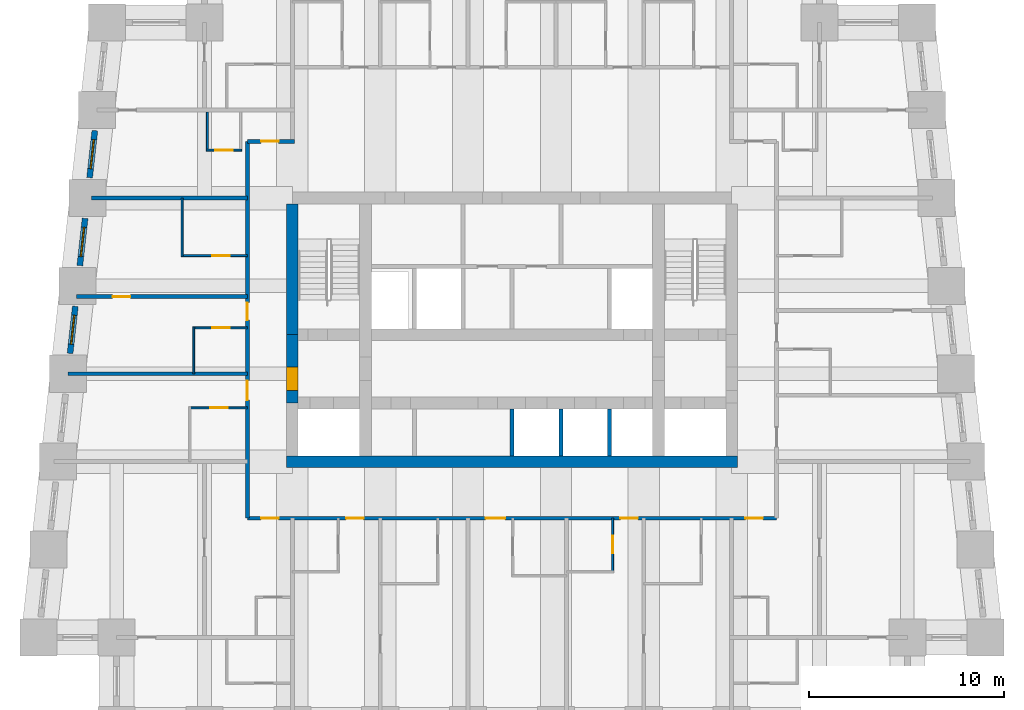
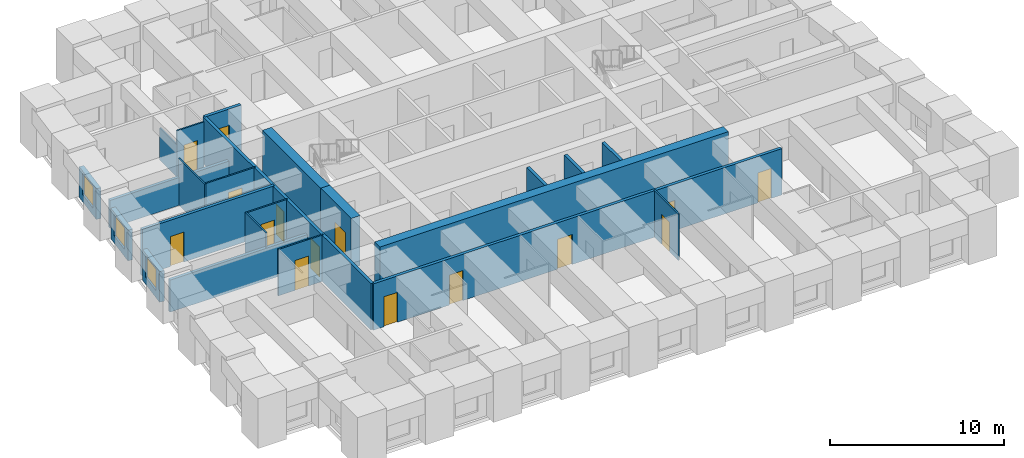
# One storey, part 3 of 8: 23 walls, 15 doors, 3 windows, 18 openings.
"""IFC4 building model written with IfcOpenShell, lengths in metres."""

from ifc_helpers import new_model, si_unit, direction, frame, frame_2d, origin, place, context, subcontext, project, spatial, rectangle, extrude, material, layer, layer_set, type_object, element, fill, save


model = new_model("IFC4")

# Units and contexts
model_context = context("Model", 3, precision=1e-05, world=origin(), true_north=direction((0.0, 1.0)))
body_context = subcontext(model_context, "Body", "Model", "MODEL_VIEW")
ifc_project = project(units=[si_unit("LENGTHUNIT", "METRE"), si_unit("AREAUNIT", "SQUARE_METRE"), si_unit("VOLUMEUNIT", "CUBIC_METRE"), si_unit("PLANEANGLEUNIT", "RADIAN"), si_unit("MASSUNIT", "GRAM", prefix="KILO")], contexts=[model_context])

# Site, building, storey
site_placement = place(None, origin())
site = spatial("IfcSite", under=ifc_project, at=site_placement, CompositionType="ELEMENT")
building_placement = place(site_placement, origin())
building = spatial("IfcBuilding", under=site, at=building_placement, Name="Kilele Tower Hotel", CompositionType="ELEMENT")
storey_placement = place(building_placement, frame((0.0, 0.0, 89.89990234375)))
storey = spatial("IfcBuildingStorey", under=building, at=storey_placement, Name="L22", CompositionType="ELEMENT", Elevation=89.89990234375)

# Wall, opening, door
ifc_material_1 = material(Name="Moisture-resistant board")
ifc_layer_1 = layer(ifc_material_1, 0.10009765625)
ifc_layer_set_1 = layer_set([ifc_layer_1], Name="Moisture-resistant board")
wall_type_1 = type_object("IfcWallType", Name="Bathroom partition 100", PredefinedType="PLUMBINGWALL", material=ifc_layer_set_1)
wall_1_placement = place(storey_placement, frame((29.89990234375, 10.60009765625, 0.0), z_axis=(0.0, 0.0, 1.0), x_axis=(0.0, -1.0, 0.0)))
wall_1 = element("IfcWall", 1, at=wall_1_placement, inside=storey, type_object=wall_type_1, Name="Bathroom partition 100 L22", PredefinedType="PLUMBINGWALL", context=body_context, shape_type="SweptSolid", body=[
    extrude(rectangle(XDim=2.800048828125, YDim=0.10009765625, at=frame_2d((1.39990234375, 0.0))), origin(), (0.0, 0.0, 1.0), 3.25),
])
opening_1_placement = place(wall_1_placement, frame((0.89990234375, 0.0, 0.0)))
opening_1 = element("IfcOpeningElement", 2, at=opening_1_placement, cuts=wall_1, Name="Opening D2A", PredefinedType="OPENING", context=body_context, shape_type="SweptSolid", body=[
    extrude(rectangle(XDim=0.89990234375, YDim=2.10009765625, at=frame_2d((0.449951171875, 1.050048828125))), frame((0.0, 0.06005859375, 0.0), z_axis=(0.0, -1.0, 0.0), x_axis=(1.0, 0.0, 0.0)), (0.0, 0.0, 1.0), 0.1201171875),
])
ifc_material_2 = material(Name="Timber door leaf in hardwood frame", Category="wood")
door_type_1 = type_object("IfcDoorType", Name="Bathroom door 900", OperationType="SINGLE_SWING_LEFT", PredefinedType="DOOR", material=ifc_material_2)
door_1_placement = place(opening_1_placement, origin())
door_1 = element("IfcDoor", 3, at=door_1_placement, inside=storey, type_object=door_type_1, Name="Bathroom door 2204B", OperationType="SINGLE_SWING_LEFT", OverallHeight=2.10009765625, OverallWidth=0.89990234375, PredefinedType="DOOR", context=body_context, shape_type="SweptSolid", body=[
    extrude(rectangle(XDim=0.89990234375, YDim=2.10009765625, at=frame_2d((0.449951171875, 1.050048828125))), frame((0.0, 0.02490234375, 0.0), z_axis=(0.0, -1.0, 0.0), x_axis=(1.0, 0.0, 0.0)), (0.0, 0.0, 1.0), 0.050048828125),
])
fill(opening_1, door_1)

wall_2_placement = place(storey_placement, frame((11.199951171875, 16.25, 0.0), z_axis=(0.0, 0.0, 1.0), x_axis=(-1.0, 0.0, 0.0)))
wall_2 = element("IfcWall", 4, at=wall_2_placement, inside=storey, type_object=wall_type_1, Name="Bathroom partition 100 L22", PredefinedType="PLUMBINGWALL", context=body_context, shape_type="SweptSolid", body=[
    extrude(rectangle(XDim=3.0, YDim=0.10009765625, at=frame_2d((1.5, 0.0))), origin(), (0.0, 0.0, 1.0), 3.25),
])
opening_2_placement = place(wall_2_placement, frame((1.89990234375, 0.0, 0.0), z_axis=(0.0, 0.0, 1.0), x_axis=(-1.0, 0.0, 0.0)))
opening_2 = element("IfcOpeningElement", 5, at=opening_2_placement, cuts=wall_2, Name="Opening D2A", PredefinedType="OPENING", context=body_context, shape_type="SweptSolid", body=[
    extrude(rectangle(XDim=0.89990234375, YDim=2.10009765625, at=frame_2d((0.449951171875, 1.050048828125))), frame((0.0, 0.06005859375, 0.0), z_axis=(0.0, -1.0, 0.0), x_axis=(1.0, 0.0, 0.0)), (0.0, 0.0, 1.0), 0.1201171875),
])
door_2_placement = place(opening_2_placement, origin())
door_2 = element("IfcDoor", 6, at=door_2_placement, inside=storey, type_object=door_type_1, Name="Bathroom door 2214B", OperationType="SINGLE_SWING_RIGHT", OverallHeight=2.10009765625, OverallWidth=0.89990234375, PredefinedType="DOOR", context=body_context, shape_type="SweptSolid", body=[
    extrude(rectangle(XDim=0.89990234375, YDim=2.10009765625, at=frame_2d((0.449951171875, 1.050048828125))), frame((0.0, 0.02490234375, 0.0), z_axis=(0.0, -1.0, 0.0), x_axis=(1.0, 0.0, 0.0)), (0.0, 0.0, 1.0), 0.050048828125),
])
fill(opening_2, door_2)

# Wall
wall_3_placement = place(storey_placement, frame((8.449951171875, 18.0, 0.0), z_axis=(0.0, 0.0, 1.0), x_axis=(0.0, 1.0, 0.0)))
element("IfcWall", 7, at=wall_3_placement, inside=storey, type_object=wall_type_1, Name="Bathroom partition 100 L22", PredefinedType="PLUMBINGWALL", context=body_context, shape_type="SweptSolid", body=[
    extrude(rectangle(XDim=2.39990234375, YDim=0.10009765625, at=frame_2d((1.199951171875, 0.0))), origin(), (0.0, 0.0, 1.0), 3.25),
])

# Wall, opening, door
wall_4_placement = place(storey_placement, frame((11.199951171875, 20.35009765625, 0.0), z_axis=(0.0, 0.0, 1.0), x_axis=(-1.0, 0.0, 0.0)))
wall_4 = element("IfcWall", 8, at=wall_4_placement, inside=storey, type_object=wall_type_1, Name="Bathroom partition 100 L22", PredefinedType="PLUMBINGWALL", context=body_context, shape_type="SweptSolid", body=[
    extrude(rectangle(XDim=2.800048828125, YDim=0.10009765625, at=frame_2d((1.39990234375, 0.0))), origin(), (0.0, 0.0, 1.0), 3.25),
])
opening_3_placement = place(wall_4_placement, frame((1.7998046875, 0.0, 0.0), z_axis=(0.0, 0.0, 1.0), x_axis=(-1.0, 0.0, 0.0)))
opening_3 = element("IfcOpeningElement", 9, at=opening_3_placement, cuts=wall_4, Name="Opening D2A", PredefinedType="OPENING", context=body_context, shape_type="SweptSolid", body=[
    extrude(rectangle(XDim=0.89990234375, YDim=2.10009765625, at=frame_2d((0.449951171875, 1.050048828125))), frame((0.0, 0.06005859375, 0.0), z_axis=(0.0, -1.0, 0.0), x_axis=(1.0, 0.0, 0.0)), (0.0, 0.0, 1.0), 0.1201171875),
])
door_3_placement = place(opening_3_placement, origin())
door_3 = element("IfcDoor", 10, at=door_3_placement, inside=storey, type_object=door_type_1, Name="Bathroom door 2215B", OperationType="SINGLE_SWING_RIGHT", OverallHeight=2.10009765625, OverallWidth=0.89990234375, PredefinedType="DOOR", context=body_context, shape_type="SweptSolid", body=[
    extrude(rectangle(XDim=0.89990234375, YDim=2.10009765625, at=frame_2d((0.449951171875, 1.050048828125))), frame((0.0, 0.02490234375, 0.0), z_axis=(0.0, -1.0, 0.0), x_axis=(1.0, 0.0, 0.0)), (0.0, 0.0, 1.0), 0.050048828125),
])
fill(opening_3, door_3)

# Wall
wall_5_placement = place(storey_placement, frame((7.85009765625, 24.0, 0.0), z_axis=(0.0, 0.0, 1.0), x_axis=(0.0, 1.0, 0.0)))
element("IfcWall", 11, at=wall_5_placement, inside=storey, type_object=wall_type_1, Name="Bathroom partition 100 L22", PredefinedType="PLUMBINGWALL", context=body_context, shape_type="SweptSolid", body=[
    extrude(rectangle(XDim=3.0, YDim=0.10009765625, at=frame_2d((1.5, 0.0))), origin(), (0.0, 0.0, 1.0), 3.25),
])

# Wall, opening, door
wall_6_placement = place(storey_placement, frame((11.199951171875, 24.050048828125, 0.0), z_axis=(0.0, 0.0, 1.0), x_axis=(-1.0, 0.0, 0.0)))
wall_6 = element("IfcWall", 12, at=wall_6_placement, inside=storey, type_object=wall_type_1, Name="Bathroom partition 100 L22", PredefinedType="PLUMBINGWALL", context=body_context, shape_type="SweptSolid", body=[
    extrude(rectangle(XDim=3.39990234375, YDim=0.10009765625, at=frame_2d((1.699951171875, 0.0))), origin(), (0.0, 0.0, 1.0), 3.25),
])
opening_4_placement = place(wall_6_placement, frame((0.89990234375, 0.0, 0.0)))
opening_4 = element("IfcOpeningElement", 13, at=opening_4_placement, cuts=wall_6, Name="Opening D2A", PredefinedType="OPENING", context=body_context, shape_type="SweptSolid", body=[
    extrude(rectangle(XDim=0.89990234375, YDim=2.10009765625, at=frame_2d((0.449951171875, 1.050048828125))), frame((0.0, 0.06005859375, 0.0), z_axis=(0.0, -1.0, 0.0), x_axis=(1.0, 0.0, 0.0)), (0.0, 0.0, 1.0), 0.1201171875),
])
door_4_placement = place(opening_4_placement, origin())
door_4 = element("IfcDoor", 14, at=door_4_placement, inside=storey, type_object=door_type_1, Name="Bathroom door 2216B", OperationType="SINGLE_SWING_LEFT", OverallHeight=2.10009765625, OverallWidth=0.89990234375, PredefinedType="DOOR", context=body_context, shape_type="SweptSolid", body=[
    extrude(rectangle(XDim=0.89990234375, YDim=2.10009765625, at=frame_2d((0.449951171875, 1.050048828125))), frame((0.0, 0.02490234375, 0.0), z_axis=(0.0, -1.0, 0.0), x_axis=(1.0, 0.0, 0.0)), (0.0, 0.0, 1.0), 0.050048828125),
])
fill(opening_4, door_4)

# Wall
wall_7_placement = place(storey_placement, frame((9.14990234375, 31.39990234375, 0.0), z_axis=(0.0, 0.0, 1.0), x_axis=(0.0, -1.0, 0.0)))
element("IfcWall", 15, at=wall_7_placement, inside=storey, type_object=wall_type_1, Name="Bathroom partition 100 L22", PredefinedType="PLUMBINGWALL", context=body_context, shape_type="SweptSolid", body=[
    extrude(rectangle(XDim=2.0, YDim=0.10009765625, at=frame_2d((1.0, 0.0))), origin(), (0.0, 0.0, 1.0), 2.25),
])

# Wall, opening, door
wall_8_placement = place(storey_placement, frame((10.89990234375, 29.449951171875, 0.0), z_axis=(0.0, 0.0, 1.0), x_axis=(-1.0, 0.0, 0.0)))
wall_8 = element("IfcWall", 16, at=wall_8_placement, inside=storey, type_object=wall_type_1, Name="Bathroom partition 100 L22", PredefinedType="PLUMBINGWALL", context=body_context, shape_type="SweptSolid", body=[
    extrude(rectangle(XDim=1.7998046875, YDim=0.10009765625, at=frame_2d((0.89990234375, 0.0))), origin(), (0.0, 0.0, 1.0), 3.25),
])
opening_5_placement = place(wall_8_placement, frame((0.449951171875, 0.0, 0.0)))
opening_5 = element("IfcOpeningElement", 17, at=opening_5_placement, cuts=wall_8, Name="Opening D2A", PredefinedType="OPENING", context=body_context, shape_type="SweptSolid", body=[
    extrude(rectangle(XDim=0.89990234375, YDim=2.10009765625, at=frame_2d((0.449951171875, 1.050048828125))), frame((0.0, 0.06005859375, 0.0), z_axis=(0.0, -1.0, 0.0), x_axis=(1.0, 0.0, 0.0)), (0.0, 0.0, 1.0), 0.1201171875),
])
door_5_placement = place(opening_5_placement, origin())
door_5 = element("IfcDoor", 18, at=door_5_placement, inside=storey, type_object=door_type_1, Name="Bathroom door 2226P", OperationType="SINGLE_SWING_LEFT", OverallHeight=2.10009765625, OverallWidth=0.89990234375, PredefinedType="DOOR", context=body_context, shape_type="SweptSolid", body=[
    extrude(rectangle(XDim=0.89990234375, YDim=2.10009765625, at=frame_2d((0.449951171875, 1.050048828125))), frame((0.0, 0.02490234375, 0.0), z_axis=(0.0, -1.0, 0.0), x_axis=(1.0, 0.0, 0.0)), (0.0, 0.0, 1.0), 0.050048828125),
])
fill(opening_5, door_5)

# Walls
ifc_material_3 = material(Name="Concrete C60/75", Category="concrete")
ifc_layer_2 = layer(ifc_material_3, 0.60009765625)
ifc_layer_set_2 = layer_set([ifc_layer_2], Name="Concrete C60/75")
wall_type_2 = type_object("IfcWallType", Name="Core wall 600 C60/75", PredefinedType="SHEAR", material=ifc_layer_set_2)
wall_9_placement = place(storey_placement, frame((13.199951171875, 13.5, 0.0), z_axis=(0.0, 0.0, 1.0), x_axis=(1.0, 0.0, 0.0)))
element("IfcWall", 19, at=wall_9_placement, inside=storey, type_object=wall_type_2, Name="Core wall S L22", PredefinedType="SHEAR", context=body_context, shape_type="SweptSolid", body=[
    extrude(rectangle(XDim=23.10009765625, YDim=0.60009765625, at=frame_2d((11.550048828125, 0.0))), origin(), (0.0, 0.0, 1.0), 3.5),
])
wall_10_placement = place(storey_placement, frame((13.5, 26.699951171875, 0.0), z_axis=(0.0, 0.0, 1.0), x_axis=(0.0, -1.0, 0.0)))
element("IfcWall", 20, at=wall_10_placement, inside=storey, type_object=wall_type_2, Name="Core wall W1 L22", PredefinedType="SHEAR", context=body_context, shape_type="SweptSolid", body=[
    extrude(rectangle(XDim=6.699951171875, YDim=0.60009765625, at=frame_2d((3.35009765625, 0.0))), origin(), (0.0, 0.0, 1.0), 3.5),
])

# Wall, opening, door
wall_11_placement = place(storey_placement, frame((13.5, 20.0, 0.0), z_axis=(0.0, 0.0, 1.0), x_axis=(0.0, -1.0, 0.0)))
wall_11 = element("IfcWall", 21, at=wall_11_placement, inside=storey, type_object=wall_type_2, Name="Core wall W2 L22", PredefinedType="SHEAR", context=body_context, shape_type="SweptSolid", body=[
    extrude(rectangle(XDim=3.5, YDim=0.60009765625, at=frame_2d((1.75, 0.0))), origin(), (0.0, 0.0, 1.0), 3.5),
])
opening_6_placement = place(wall_11_placement, frame((1.64990234375, 0.0, 0.0)))
opening_6 = element("IfcOpeningElement", 22, at=opening_6_placement, cuts=wall_11, Name="Opening D4", PredefinedType="OPENING", context=body_context, shape_type="SweptSolid", body=[
    extrude(rectangle(XDim=1.199951171875, YDim=2.10009765625, at=frame_2d((0.60009765625, 1.050048828125))), frame((0.0, 0.31005859375, 0.0), z_axis=(0.0, -1.0, 0.0), x_axis=(1.0, 0.0, 0.0)), (0.0, 0.0, 1.0), 0.6201171875),
])
ifc_material_4 = material(Name="Timber door leaf in hardwood frame", Category="wood")
door_type_2 = type_object("IfcDoorType", Name="Firefighting lobby door 1200", OperationType="SINGLE_SWING_LEFT", PredefinedType="DOOR", material=ifc_material_4)
door_6_placement = place(opening_6_placement, origin())
door_6 = element("IfcDoor", 23, at=door_6_placement, inside=storey, type_object=door_type_2, Name="Lobby door L22", OperationType="SINGLE_SWING_RIGHT", OverallHeight=2.10009765625, OverallWidth=1.199951171875, PredefinedType="DOOR", context=body_context, shape_type="SweptSolid", body=[
    extrude(rectangle(XDim=1.199951171875, YDim=2.10009765625, at=frame_2d((0.60009765625, 1.050048828125))), frame((0.0, 0.2998046875, 0.0), z_axis=(0.0, -1.0, 0.0), x_axis=(1.0, 0.0, 0.0)), (0.0, 0.0, 1.0), 0.599609375),
])
fill(opening_6, door_6)

# Wall, openings, doors
ifc_material_5 = material(Name="Blockwork, plastered both sides", Category="masonry")
ifc_layer_3 = layer(ifc_material_5, 0.199951171875)
ifc_layer_set_3 = layer_set([ifc_layer_3], Name="Blockwork, plastered both sides")
wall_type_3 = type_object("IfcWallType", Name="Corridor wall 200", PredefinedType="PARTITIONING", material=ifc_layer_set_3)
wall_12_placement = place(storey_placement, frame((11.199951171875, 10.60009765625, 0.0), z_axis=(0.0, 0.0, 1.0), x_axis=(1.0, 0.0, 0.0)))
wall_12 = element("IfcWall", 24, at=wall_12_placement, inside=storey, type_object=wall_type_3, Name="Corridor wall 200 L22", PredefinedType="PARTITIONING", context=body_context, shape_type="SweptSolid", body=[
    extrude(rectangle(XDim=27.10009765625, YDim=0.199951171875, at=frame_2d((13.550048828125, 0.0))), origin(), (0.0, 0.0, 1.0), 3.25),
])
opening_7_placement = place(wall_12_placement, frame((5.949951171875, 0.0, 0.0), z_axis=(0.0, 0.0, 1.0), x_axis=(-1.0, 0.0, 0.0)))
opening_7 = element("IfcOpeningElement", 25, at=opening_7_placement, cuts=wall_12, Name="Opening D1", PredefinedType="OPENING", context=body_context, shape_type="SweptSolid", body=[
    extrude(rectangle(XDim=0.89990234375, YDim=2.10009765625, at=frame_2d((0.449951171875, 1.050048828125))), frame((0.0, 0.10986328125, 0.0), z_axis=(0.0, -1.0, 0.0), x_axis=(1.0, 0.0, 0.0)), (0.0, 0.0, 1.0), 0.219970703125),
])
opening_8_placement = place(wall_12_placement, frame((13.199951171875, 0.0, 0.0), z_axis=(0.0, 0.0, 1.0), x_axis=(-1.0, 0.0, 0.0)))
opening_8 = element("IfcOpeningElement", 26, at=opening_8_placement, cuts=wall_12, Name="Opening D1A", PredefinedType="OPENING", context=body_context, shape_type="SweptSolid", body=[
    extrude(rectangle(XDim=1.0, YDim=2.10009765625, at=frame_2d((0.5, 1.050048828125))), frame((0.0, 0.10986328125, 0.0), z_axis=(0.0, -1.0, 0.0), x_axis=(1.0, 0.0, 0.0)), (0.0, 0.0, 1.0), 0.219970703125),
])
opening_9_placement = place(wall_12_placement, frame((20.0, 0.0, 0.0), z_axis=(0.0, 0.0, 1.0), x_axis=(-1.0, 0.0, 0.0)))
opening_9 = element("IfcOpeningElement", 27, at=opening_9_placement, cuts=wall_12, Name="Opening D1", PredefinedType="OPENING", context=body_context, shape_type="SweptSolid", body=[
    extrude(rectangle(XDim=0.89990234375, YDim=2.10009765625, at=frame_2d((0.449951171875, 1.050048828125))), frame((0.0, 0.10986328125, 0.0), z_axis=(0.0, -1.0, 0.0), x_axis=(1.0, 0.0, 0.0)), (0.0, 0.0, 1.0), 0.219970703125),
])
opening_10_placement = place(wall_12_placement, frame((1.599853515625, 0.0, 0.0), z_axis=(0.0, 0.0, 1.0), x_axis=(-1.0, 0.0, 0.0)))
opening_10 = element("IfcOpeningElement", 28, at=opening_10_placement, cuts=wall_12, Name="Opening D1", PredefinedType="OPENING", context=body_context, shape_type="SweptSolid", body=[
    extrude(rectangle(XDim=0.89990234375, YDim=2.10009765625, at=frame_2d((0.449951171875, 1.050048828125))), frame((0.0, 0.10986328125, 0.0), z_axis=(0.0, -1.0, 0.0), x_axis=(1.0, 0.0, 0.0)), (0.0, 0.0, 1.0), 0.219970703125),
])
opening_11_placement = place(wall_12_placement, frame((26.39990234375, 0.0, 0.0), z_axis=(0.0, 0.0, 1.0), x_axis=(-1.0, 0.0, 0.0)))
opening_11 = element("IfcOpeningElement", 29, at=opening_11_placement, cuts=wall_12, Name="Opening D1", PredefinedType="OPENING", context=body_context, shape_type="SweptSolid", body=[
    extrude(rectangle(XDim=0.89990234375, YDim=2.10009765625, at=frame_2d((0.449951171875, 1.050048828125))), frame((0.0, 0.10986328125, 0.0), z_axis=(0.0, -1.0, 0.0), x_axis=(1.0, 0.0, 0.0)), (0.0, 0.0, 1.0), 0.219970703125),
])
ifc_material_6 = material(Name="Timber door leaf in hardwood frame", Category="wood")
door_type_3 = type_object("IfcDoorType", Name="Guest room entrance door 1000", OperationType="SINGLE_SWING_LEFT", PredefinedType="DOOR", material=ifc_material_6)
door_7_placement = place(opening_8_placement, origin())
door_7 = element("IfcDoor", 30, at=door_7_placement, inside=storey, type_object=door_type_3, Name="Room entrance 2203", OperationType="SINGLE_SWING_LEFT", OverallHeight=2.10009765625, OverallWidth=1.0, PredefinedType="DOOR", context=body_context, shape_type="SweptSolid", body=[
    extrude(rectangle(XDim=1.0, YDim=2.10009765625, at=frame_2d((0.5, 1.050048828125))), frame((0.0, 0.02490234375, 0.0), z_axis=(0.0, -1.0, 0.0), x_axis=(1.0, 0.0, 0.0)), (0.0, 0.0, 1.0), 0.050048828125),
])
fill(opening_8, door_7)
ifc_material_7 = material(Name="Timber door leaf in hardwood frame", Category="wood")
door_type_4 = type_object("IfcDoorType", Name="Guest room entrance door 900", OperationType="SINGLE_SWING_LEFT", PredefinedType="DOOR", material=ifc_material_7)
door_8_placement = place(opening_7_placement, origin())
door_8 = element("IfcDoor", 31, at=door_8_placement, inside=storey, type_object=door_type_4, Name="Room entrance 2201", OperationType="SINGLE_SWING_RIGHT", OverallHeight=2.10009765625, OverallWidth=0.89990234375, PredefinedType="DOOR", context=body_context, shape_type="SweptSolid", body=[
    extrude(rectangle(XDim=0.89990234375, YDim=2.10009765625, at=frame_2d((0.449951171875, 1.050048828125))), frame((0.0, 0.02490234375, 0.0), z_axis=(0.0, -1.0, 0.0), x_axis=(1.0, 0.0, 0.0)), (0.0, 0.0, 1.0), 0.050048828125),
])
fill(opening_7, door_8)
door_9_placement = place(opening_9_placement, origin())
door_9 = element("IfcDoor", 32, at=door_9_placement, inside=storey, type_object=door_type_4, Name="Room entrance 2204", OperationType="SINGLE_SWING_LEFT", OverallHeight=2.10009765625, OverallWidth=0.89990234375, PredefinedType="DOOR", context=body_context, shape_type="SweptSolid", body=[
    extrude(rectangle(XDim=0.89990234375, YDim=2.10009765625, at=frame_2d((0.449951171875, 1.050048828125))), frame((0.0, 0.02490234375, 0.0), z_axis=(0.0, -1.0, 0.0), x_axis=(1.0, 0.0, 0.0)), (0.0, 0.0, 1.0), 0.050048828125),
])
fill(opening_9, door_9)
door_10_placement = place(opening_10_placement, origin())
door_10 = element("IfcDoor", 33, at=door_10_placement, inside=storey, type_object=door_type_4, Name="Room entrance 2217", OperationType="SINGLE_SWING_LEFT", OverallHeight=2.10009765625, OverallWidth=0.89990234375, PredefinedType="DOOR", context=body_context, shape_type="SweptSolid", body=[
    extrude(rectangle(XDim=0.89990234375, YDim=2.10009765625, at=frame_2d((0.449951171875, 1.050048828125))), frame((0.0, 0.02490234375, 0.0), z_axis=(0.0, -1.0, 0.0), x_axis=(1.0, 0.0, 0.0)), (0.0, 0.0, 1.0), 0.050048828125),
])
fill(opening_10, door_10)
door_11_placement = place(opening_11_placement, origin())
door_11 = element("IfcDoor", 34, at=door_11_placement, inside=storey, type_object=door_type_4, Name="Room entrance 2220", OperationType="SINGLE_SWING_RIGHT", OverallHeight=2.10009765625, OverallWidth=0.89990234375, PredefinedType="DOOR", context=body_context, shape_type="SweptSolid", body=[
    extrude(rectangle(XDim=0.89990234375, YDim=2.10009765625, at=frame_2d((0.449951171875, 1.050048828125))), frame((0.0, 0.02490234375, 0.0), z_axis=(0.0, -1.0, 0.0), x_axis=(1.0, 0.0, 0.0)), (0.0, 0.0, 1.0), 0.050048828125),
])
fill(opening_11, door_11)

# Wall, opening, door
wall_13_placement = place(storey_placement, frame((11.199951171875, 29.89990234375, 0.0), z_axis=(0.0, 0.0, 1.0), x_axis=(1.0, 0.0, 0.0)))
wall_13 = element("IfcWall", 35, at=wall_13_placement, inside=storey, type_object=wall_type_3, Name="Corridor wall 200 L22", PredefinedType="PARTITIONING", context=body_context, shape_type="SweptSolid", body=[
    extrude(rectangle(XDim=2.400146484375, YDim=0.199951171875, at=frame_2d((1.2001953125, 0.0))), origin(), (0.0, 0.0, 1.0), 3.25),
])
opening_12_placement = place(wall_13_placement, frame((0.699951171875, 0.0, 0.0)))
opening_12 = element("IfcOpeningElement", 36, at=opening_12_placement, cuts=wall_13, Name="Opening D1", PredefinedType="OPENING", context=body_context, shape_type="SweptSolid", body=[
    extrude(rectangle(XDim=0.89990234375, YDim=2.10009765625, at=frame_2d((0.449951171875, 1.050048828125))), frame((0.0, 0.10986328125, 0.0), z_axis=(0.0, -1.0, 0.0), x_axis=(1.0, 0.0, 0.0)), (0.0, 0.0, 1.0), 0.219970703125),
])
door_12_placement = place(opening_12_placement, origin())
door_12 = element("IfcDoor", 37, at=door_12_placement, inside=storey, type_object=door_type_4, Name="Room entrance 2226", OperationType="SINGLE_SWING_RIGHT", OverallHeight=2.10009765625, OverallWidth=0.89990234375, PredefinedType="DOOR", context=body_context, shape_type="SweptSolid", body=[
    extrude(rectangle(XDim=0.89990234375, YDim=2.10009765625, at=frame_2d((0.449951171875, 1.050048828125))), frame((0.0, 0.02490234375, 0.0), z_axis=(0.0, -1.0, 0.0), x_axis=(1.0, 0.0, 0.0)), (0.0, 0.0, 1.0), 0.050048828125),
])
fill(opening_12, door_12)

# Wall, openings, doors
wall_14_placement = place(storey_placement, frame((11.199951171875, 10.60009765625, 0.0), z_axis=(0.0, 0.0, 1.0), x_axis=(0.0, 1.0, 0.0)))
wall_14 = element("IfcWall", 38, at=wall_14_placement, inside=storey, type_object=wall_type_3, Name="Corridor wall 200 L22", PredefinedType="PARTITIONING", context=body_context, shape_type="SweptSolid", body=[
    extrude(rectangle(XDim=19.2998046875, YDim=0.199951171875, at=frame_2d((9.64990234375, 0.0))), origin(), (0.0, 0.0, 1.0), 3.25),
])
opening_13_placement = place(wall_14_placement, frame((6.050048828125, 0.0, 0.0)))
opening_13 = element("IfcOpeningElement", 39, at=opening_13_placement, cuts=wall_14, Name="Opening D8", PredefinedType="OPENING", context=body_context, shape_type="SweptSolid", body=[
    extrude(rectangle(XDim=1.0, YDim=2.10009765625, at=frame_2d((0.5, 1.050048828125))), frame((0.0, 0.10986328125, 0.0), z_axis=(0.0, -1.0, 0.0), x_axis=(1.0, 0.0, 0.0)), (0.0, 0.0, 1.0), 0.219970703125),
])
opening_14_placement = place(wall_14_placement, frame((10.14990234375, 0.0, 0.0)))
opening_14 = element("IfcOpeningElement", 40, at=opening_14_placement, cuts=wall_14, Name="Opening D1", PredefinedType="OPENING", context=body_context, shape_type="SweptSolid", body=[
    extrude(rectangle(XDim=0.89990234375, YDim=2.10009765625, at=frame_2d((0.449951171875, 1.050048828125))), frame((0.0, 0.10986328125, 0.0), z_axis=(0.0, -1.0, 0.0), x_axis=(1.0, 0.0, 0.0)), (0.0, 0.0, 1.0), 0.219970703125),
])
ifc_material_8 = material(Name="Timber door leaf in hardwood frame", Category="wood")
door_type_5 = type_object("IfcDoorType", Name="Door 1000", OperationType="SINGLE_SWING_LEFT", PredefinedType="DOOR", material=ifc_material_8)
door_13_placement = place(opening_13_placement, origin())
door_13 = element("IfcDoor", 41, at=door_13_placement, inside=storey, type_object=door_type_5, Name="Room entrance 2214", OperationType="SINGLE_SWING_LEFT", OverallHeight=2.10009765625, OverallWidth=1.0, PredefinedType="DOOR", context=body_context, shape_type="SweptSolid", body=[
    extrude(rectangle(XDim=1.0, YDim=2.10009765625, at=frame_2d((0.5, 1.050048828125))), frame((0.0, 0.02490234375, 0.0), z_axis=(0.0, -1.0, 0.0), x_axis=(1.0, 0.0, 0.0)), (0.0, 0.0, 1.0), 0.050048828125),
])
fill(opening_13, door_13)
door_14_placement = place(opening_14_placement, origin())
door_14 = element("IfcDoor", 42, at=door_14_placement, inside=storey, type_object=door_type_4, Name="Room entrance 2215", OperationType="SINGLE_SWING_RIGHT", OverallHeight=2.10009765625, OverallWidth=0.89990234375, PredefinedType="DOOR", context=body_context, shape_type="SweptSolid", body=[
    extrude(rectangle(XDim=0.89990234375, YDim=2.10009765625, at=frame_2d((0.449951171875, 1.050048828125))), frame((0.0, 0.02490234375, 0.0), z_axis=(0.0, -1.0, 0.0), x_axis=(1.0, 0.0, 0.0)), (0.0, 0.0, 1.0), 0.050048828125),
])
fill(opening_14, door_14)

# Wall
ifc_material_9 = material(Name="Blockwork, plastered both sides", Category="masonry")
ifc_layer_4 = layer(ifc_material_9, 0.199951171875)
ifc_layer_set_4 = layer_set([ifc_layer_4], Name="Blockwork, plastered both sides")
wall_type_4 = type_object("IfcWallType", Name="Party wall 200", PredefinedType="PARTITIONING", material=ifc_layer_set_4)
wall_15_placement = place(storey_placement, frame((11.199951171875, 18.0, 0.0), z_axis=(0.0, 0.0, 1.0), x_axis=(-1.0, 0.0, 0.0)))
element("IfcWall", 43, at=wall_15_placement, inside=storey, type_object=wall_type_4, Name="Party wall 200 L22", PredefinedType="PARTITIONING", context=body_context, shape_type="SweptSolid", body=[
    extrude(rectangle(XDim=9.198974609375, YDim=0.199951171875, at=frame_2d((4.599609375, 0.0))), origin(), (0.0, 0.0, 1.0), 2.25),
])

# Wall, opening, door
wall_16_placement = place(storey_placement, frame((11.199951171875, 21.949951171875, 0.0), z_axis=(0.0, 0.0, 1.0), x_axis=(-1.0, 0.0, 0.0)))
wall_16 = element("IfcWall", 44, at=wall_16_placement, inside=storey, type_object=wall_type_4, Name="Party wall 200 L22", PredefinedType="PARTITIONING", context=body_context, shape_type="SweptSolid", body=[
    extrude(rectangle(XDim=8.76025390625, YDim=0.199951171875, at=frame_2d((4.380126953125, 0.0))), origin(), (0.0, 0.0, 1.0), 3.25),
])
opening_15_placement = place(wall_16_placement, frame((6.89990234375, 0.0, 0.0), z_axis=(0.0, 0.0, 1.0), x_axis=(-1.0, 0.0, 0.0)))
opening_15 = element("IfcOpeningElement", 45, at=opening_15_placement, cuts=wall_16, Name="Opening D3", PredefinedType="OPENING", context=body_context, shape_type="SweptSolid", body=[
    extrude(rectangle(XDim=0.89990234375, YDim=2.10009765625, at=frame_2d((0.449951171875, 1.050048828125))), frame((0.0, 0.10986328125, 0.0), z_axis=(0.0, -1.0, 0.0), x_axis=(1.0, 0.0, 0.0)), (0.0, 0.0, 1.0), 0.219970703125),
])
ifc_material_10 = material(Name="Timber door leaf in hardwood frame", Category="wood")
door_type_6 = type_object("IfcDoorType", Name="Suite internal door 900", OperationType="SINGLE_SWING_LEFT", PredefinedType="DOOR", material=ifc_material_10)
door_15_placement = place(opening_15_placement, origin())
door_15 = element("IfcDoor", 46, at=door_15_placement, inside=storey, type_object=door_type_6, Name="Suite door 2216", OperationType="SINGLE_SWING_LEFT", OverallHeight=2.10009765625, OverallWidth=0.89990234375, PredefinedType="DOOR", context=body_context, shape_type="SweptSolid", body=[
    extrude(rectangle(XDim=0.89990234375, YDim=2.10009765625, at=frame_2d((0.449951171875, 1.050048828125))), frame((0.0, 0.02490234375, 0.0), z_axis=(0.0, -1.0, 0.0), x_axis=(1.0, 0.0, 0.0)), (0.0, 0.0, 1.0), 0.050048828125),
])
fill(opening_15, door_15)

# Wall
wall_17_placement = place(storey_placement, frame((11.199951171875, 27.0, 0.0), z_axis=(0.0, 0.0, 1.0), x_axis=(-1.0, 0.0, 0.0)))
element("IfcWall", 47, at=wall_17_placement, inside=storey, type_object=wall_type_4, Name="Party wall 200 L22", PredefinedType="PARTITIONING", context=body_context, shape_type="SweptSolid", body=[
    extrude(rectangle(XDim=7.976806640625, YDim=0.199951171875, at=frame_2d((3.98828125, 0.0))), origin(), (0.0, 0.0, 1.0), 1.9501953125),
])

# Wall, opening, window
ifc_material_11 = material(Name="Concrete C40/50 precast", Category="concrete")
ifc_layer_5 = layer(ifc_material_11, 0.260009765625, Name="Precast backing", Category="LoadBearing")
ifc_material_12 = material(Name="Reconstituted stone finish", Category="masonry")
ifc_layer_6 = layer(ifc_material_12, 0.0400390625, Name="Face mix", Category="Finish")
ifc_layer_set_5 = layer_set([ifc_layer_5, ifc_layer_6], Name="Precast concrete C40/50, reconstituted stone finish")
wall_type_5 = type_object("IfcWallType", Name="Precast stone facade wall 300", PredefinedType="STANDARD", material=ifc_layer_set_5)
wall_18_placement = place(storey_placement, frame((3.384033203125, 30.457275390625, 0.0), z_axis=(0.0, 0.0, 1.0), x_axis=(-0.110343286306, -0.993893535127, 0.0)))
wall_18 = element("IfcWall", 48, at=wall_18_placement, inside=storey, type_object=wall_type_5, Name="Facade wall L22 edge 12 bay 2", PredefinedType="STANDARD", context=body_context, shape_type="SweptSolid", body=[
    extrude(rectangle(XDim=2.429443359375, YDim=0.300048828125, at=frame_2d((1.21484375, 0.0))), origin(), (0.0, 0.0, 1.0), 2.150146484375),
])
opening_16_placement = place(wall_18_placement, frame((0.465087890625, 0.0, 0.5)))
opening_16 = element("IfcOpeningElement", 49, at=opening_16_placement, cuts=wall_18, Name="Opening W2", PredefinedType="OPENING", context=body_context, shape_type="SweptSolid", body=[
    extrude(rectangle(XDim=1.5, YDim=1.5, at=frame_2d((0.75, 0.75))), frame((0.0, 0.159912109375, 0.0), z_axis=(0.0, -1.0, 0.0), x_axis=(1.0, 0.0, 0.0)), (0.0, 0.0, 1.0), 0.320068359375),
])
ifc_material_13 = material(Name="Aluminium frame, clear double glazing", Category="aluminium")
window_type = type_object("IfcWindowType", Name="Window W2 1500 x 1500", PartitioningType="SINGLE_PANEL", PredefinedType="WINDOW", material=ifc_material_13)
window_1_placement = place(opening_16_placement, origin())
window_1 = element("IfcWindow", 50, at=window_1_placement, inside=storey, type_object=window_type, Name="Window L22", OverallHeight=1.5, OverallWidth=1.5, PartitioningType="SINGLE_PANEL", PredefinedType="WINDOW", context=body_context, shape_type="SweptSolid", body=[
    extrude(rectangle(XDim=1.5, YDim=1.5, at=frame_2d((0.75, 0.75))), frame((0.0, 0.030029296875, 0.0), z_axis=(0.0, -1.0, 0.0), x_axis=(1.0, 0.0, 0.0)), (0.0, 0.0, 1.0), 0.06005859375),
])
fill(opening_16, window_1)

wall_19_placement = place(storey_placement, frame((2.884033203125, 25.957275390625, 0.0), z_axis=(0.0, 0.0, 1.0), x_axis=(-0.110343286306, -0.993893535127, 0.0)))
wall_19 = element("IfcWall", 51, at=wall_19_placement, inside=storey, type_object=wall_type_5, Name="Facade wall L22 edge 12 bay 3", PredefinedType="STANDARD", context=body_context, shape_type="SweptSolid", body=[
    extrude(rectangle(XDim=2.429443359375, YDim=0.300048828125, at=frame_2d((1.21484375, 0.0))), origin(), (0.0, 0.0, 1.0), 2.150146484375),
])
opening_17_placement = place(wall_19_placement, frame((0.464599609375, 0.0, 0.5)))
opening_17 = element("IfcOpeningElement", 52, at=opening_17_placement, cuts=wall_19, Name="Opening W2", PredefinedType="OPENING", context=body_context, shape_type="SweptSolid", body=[
    extrude(rectangle(XDim=1.5, YDim=1.5, at=frame_2d((0.75, 0.75))), frame((0.0, 0.159912109375, 0.0), z_axis=(0.0, -1.0, 0.0), x_axis=(1.0, 0.0, 0.0)), (0.0, 0.0, 1.0), 0.320068359375),
])
window_2_placement = place(opening_17_placement, origin())
window_2 = element("IfcWindow", 53, at=window_2_placement, inside=storey, type_object=window_type, Name="Window L22", OverallHeight=1.5, OverallWidth=1.5, PartitioningType="SINGLE_PANEL", PredefinedType="WINDOW", context=body_context, shape_type="SweptSolid", body=[
    extrude(rectangle(XDim=1.5, YDim=1.5, at=frame_2d((0.75, 0.75))), frame((0.0, 0.030029296875, 0.0), z_axis=(0.0, -1.0, 0.0), x_axis=(1.0, 0.0, 0.0)), (0.0, 0.0, 1.0), 0.06005859375),
])
fill(opening_17, window_2)

wall_20_placement = place(storey_placement, frame((2.384033203125, 21.457275390625, 0.0), z_axis=(0.0, 0.0, 1.0), x_axis=(-0.110343286306, -0.993893535127, 0.0)))
wall_20 = element("IfcWall", 54, at=wall_20_placement, inside=storey, type_object=wall_type_5, Name="Facade wall L22 edge 12 bay 4", PredefinedType="STANDARD", context=body_context, shape_type="SweptSolid", body=[
    extrude(rectangle(XDim=2.429443359375, YDim=0.300048828125, at=frame_2d((1.21484375, 0.0))), origin(), (0.0, 0.0, 1.0), 2.150146484375),
])
opening_18_placement = place(wall_20_placement, frame((0.46484375, 0.0, 0.5)))
opening_18 = element("IfcOpeningElement", 55, at=opening_18_placement, cuts=wall_20, Name="Opening W2", PredefinedType="OPENING", context=body_context, shape_type="SweptSolid", body=[
    extrude(rectangle(XDim=1.5, YDim=1.5, at=frame_2d((0.75, 0.75))), frame((0.0, 0.159912109375, 0.0), z_axis=(0.0, -1.0, 0.0), x_axis=(1.0, 0.0, 0.0)), (0.0, 0.0, 1.0), 0.320068359375),
])
window_3_placement = place(opening_18_placement, origin())
window_3 = element("IfcWindow", 56, at=window_3_placement, inside=storey, type_object=window_type, Name="Window L22", OverallHeight=1.5, OverallWidth=1.5, PartitioningType="SINGLE_PANEL", PredefinedType="WINDOW", context=body_context, shape_type="SweptSolid", body=[
    extrude(rectangle(XDim=1.5, YDim=1.5, at=frame_2d((0.75, 0.75))), frame((0.0, 0.030029296875, 0.0), z_axis=(0.0, -1.0, 0.0), x_axis=(1.0, 0.0, 0.0)), (0.0, 0.0, 1.0), 0.06005859375),
])
fill(opening_18, window_3)

# Walls
ifc_material_14 = material(Name="Blockwork, fire-rated", Category="masonry")
ifc_layer_7 = layer(ifc_material_14, 0.199951171875)
ifc_layer_set_6 = layer_set([ifc_layer_7], Name="Blockwork, fire-rated")
wall_type_6 = type_object("IfcWallType", Name="Shaft wall 200", PredefinedType="PARTITIONING", material=ifc_layer_set_6)
for number, where, z_axis, x_axis, name in (
    (57, (24.75, 13.800048828125, 0.0), (0.0, 0.0, 1.0), (0.0, 1.0, 0.0), "Shaft wall 200 L22"),
    (58, (27.25, 13.800048828125, 0.0), (0.0, 0.0, 1.0), (0.0, 1.0, 0.0), "Shaft wall 200 L22"),
    (59, (29.75, 13.800048828125, 0.0), (0.0, 0.0, 1.0), (0.0, 1.0, 0.0), "Shaft wall 200 L22"),
):
    element("IfcWall", number, at=place(storey_placement, frame(where, z_axis=z_axis, x_axis=x_axis)), inside=storey, type_object=wall_type_6, Name=name, PredefinedType="PARTITIONING", context=body_context, shape_type="SweptSolid", body=[
        extrude(rectangle(XDim=2.39990234375, YDim=0.199951171875, at=frame_2d((1.199951171875, 0.0))), origin(), (0.0, 0.0, 1.0), 3.25),
    ])

save(model, "model.ifc")
